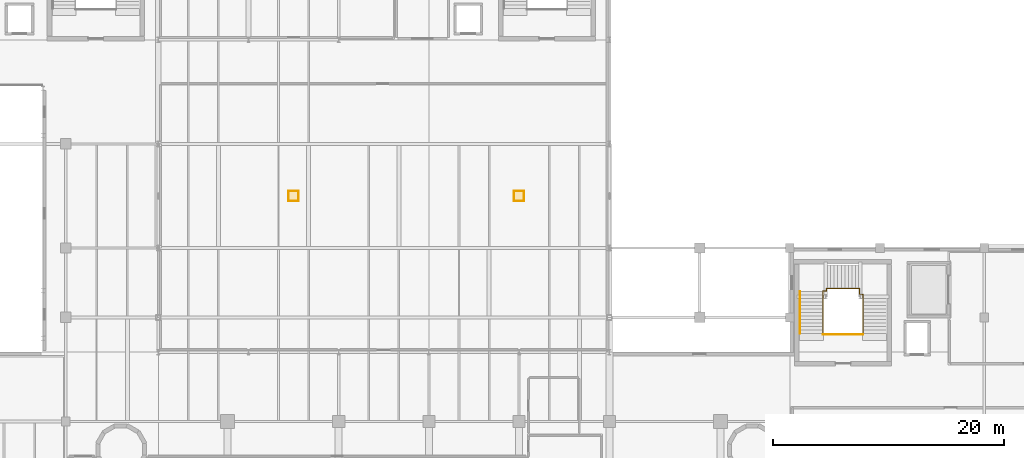
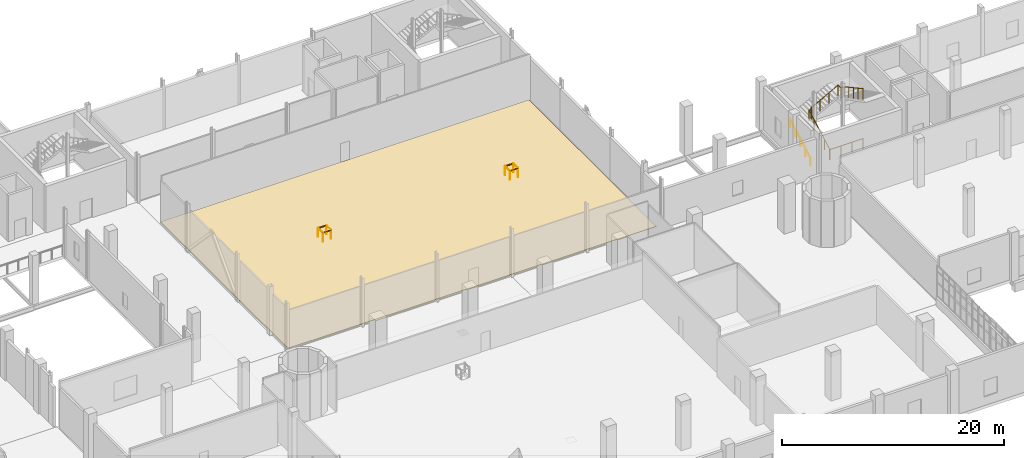
# One storey, part 54 of 57: 11 railings, 1 covering.
"""IFC4 building model written with IfcOpenShell, lengths in metres."""

from ifc_helpers import new_model, si_unit, derived_unit, direction, frame, origin, origin_2d, place, context, subcontext, project, spatial, polyline, circle, outline, extrude, material, layer, layer_set, type_object, element, save


model = new_model("IFC4")

# Units and contexts
model_context = context("Model", 3, precision=1e-05, world=origin(), true_north=direction((0.0, 1.0)))
body_context = subcontext(model_context, "Body", "Model", "MODEL_VIEW")
ifc_project = project(units=[si_unit("LENGTHUNIT", "METRE"), si_unit("AREAUNIT", "SQUARE_METRE"), si_unit("VOLUMEUNIT", "CUBIC_METRE"), si_unit("PLANEANGLEUNIT", "RADIAN"), si_unit("MASSUNIT", "GRAM", prefix="KILO"), derived_unit("THERMALTRANSMITTANCEUNIT", [(si_unit("POWERUNIT", "WATT"), 1), (si_unit("LENGTHUNIT", "METRE"), -2), (si_unit("THERMODYNAMICTEMPERATUREUNIT", "KELVIN"), -1)])], contexts=[model_context])

# Site, building, storey
site_placement = place(None, origin())
site = spatial("IfcSite", under=ifc_project, at=site_placement, CompositionType="ELEMENT")
building_placement = place(site_placement, origin())
building = spatial("IfcBuilding", under=site, at=building_placement, Name="Nallur Shell Playhouse", CompositionType="ELEMENT")
storey_placement = place(building_placement, origin())
storey = spatial("IfcBuildingStorey", under=building, at=storey_placement, Name="L01", CompositionType="ELEMENT", Elevation=0.0)

# Covering
ifc_material_1 = material(Name="Sprung Semi-Resilient Stage & Dance Hardwood Flooring", Category="wood")
ifc_layer = layer(ifc_material_1, 0.054931640625)
ifc_layer_set = layer_set([ifc_layer], Name="Sprung Semi-Resilient Stage & Dance Hardwood Flooring")
covering_type = type_object("IfcCoveringType", Name="CV-FLOR-TIMBER", PredefinedType="FLOORING", material=ifc_layer_set)
covering_placement = place(storey_placement, origin())
element("IfcCovering", 1, at=covering_placement, inside=storey, type_object=covering_type, Name="Main Theatre Proscenium Stage & Side Stages floor finish", PredefinedType="FLOORING", context=body_context, shape_type="SweptSolid", body=[
    extrude(outline(polyline([(102.60009765625, 70.199951171875), (102.60009765625, 47.199951171875), (64.199951171875, 47.199951171875), (64.199951171875, 70.199951171875), (102.60009765625, 70.199951171875)])), origin(), (0.0, 0.0, 1.0), 0.054931640625),
])

# Railings
ifc_material_2 = material(Name="Brushed Stainless Steel 316 Balustrade & Toughened Infill", Category="steel")
railing_type_1 = type_object("IfcRailingType", Name="RL-GUARD-1100", PredefinedType="BALUSTRADE", material=ifc_material_2)
railing_1_placement = place(storey_placement, frame((121.4599609375, 48.60009765625, 0.0)))
element("IfcRailing", 2, at=railing_1_placement, inside=storey, type_object=railing_type_1, Name="Stair ST-02-L01 inner open-well guard", PredefinedType="BALUSTRADE", context=body_context, shape_type="SweptSolid", body=[
    extrude(circle(Radius=0.02392578125, at=origin_2d()), frame((0.0, 0.0, 1.15576171875), z_axis=(0.0, 0.879145147203, 0.476554099919), x_axis=(-1.0, 0.0, 0.0)), (0.0, 0.0, 1.0), 4.20849609375),
    extrude(circle(Radius=0.02392578125, at=origin_2d()), frame((0.0, 3.699951171875, 3.16162109375), z_axis=(1.0, 0.0, 0.0), x_axis=(0.0, 1.0, 0.0)), (0.0, 0.0, 1.0), 0.32763671875),
    extrude(circle(Radius=0.02392578125, at=origin_2d()), frame((0.32763671875, 3.699951171875, 3.16162109375), z_axis=(0.0, 1.0, 0.0), x_axis=(-1.0, 0.0, 0.0)), (0.0, 0.0, 1.0), 0.199951171875),
    extrude(circle(Radius=0.02392578125, at=origin_2d()), frame((0.32763671875, 3.89990234375, 3.16162109375), z_axis=(0.877622962151, 0.0, 0.479351579016), x_axis=(0.0, 1.0, 0.0)), (0.0, 0.0, 1.0), 3.21875),
    extrude(circle(Radius=0.02392578125, at=origin_2d()), frame((3.152587890625, 3.89990234375, 4.70458984375), z_axis=(0.0, -1.0, 0.0), x_axis=(1.0, 0.0, 0.0)), (0.0, 0.0, 1.0), 0.5048828125),
    extrude(circle(Radius=0.02392578125, at=origin_2d()), frame((3.152587890625, 3.39501953125, 4.70458984375), z_axis=(1.0, 0.0, 0.0), x_axis=(0.0, 1.0, 0.0)), (0.0, 0.0, 1.0), 0.327392578125),
    extrude(circle(Radius=0.02392578125, at=origin_2d()), frame((3.47998046875, 3.39501953125, 4.70458984375), z_axis=(0.0, -0.877951061209, 0.478750388117), x_axis=(1.0, 0.0, 0.0)), (0.0, 0.0, 1.0), 3.866943359375),
    extrude(circle(Radius=0.02099609375, at=origin_2d()), origin(), (0.0, 0.0, 1.0), 1.1318359375),
    extrude(circle(Radius=0.02099609375, at=origin_2d()), frame((0.0, 0.925048828125, 0.50146484375)), (0.0, 0.0, 1.0), 1.1318359375),
    extrude(circle(Radius=0.02099609375, at=origin_2d()), frame((0.0, 1.85009765625, 1.0029296875)), (0.0, 0.0, 1.0), 1.1318359375),
    extrude(circle(Radius=0.02099609375, at=origin_2d()), frame((0.0, 2.77490234375, 1.504150390625)), (0.0, 0.0, 1.0), 1.1318359375),
    extrude(circle(Radius=0.02099609375, at=origin_2d()), frame((0.0, 3.699951171875, 2.005615234375)), (0.0, 0.0, 1.0), 1.1318359375),
    extrude(circle(Radius=0.02099609375, at=origin_2d()), frame((0.32763671875, 3.699951171875, 2.005615234375)), (0.0, 0.0, 1.0), 1.1318359375),
    extrude(circle(Radius=0.02099609375, at=origin_2d()), frame((0.32763671875, 3.89990234375, 2.005615234375)), (0.0, 0.0, 1.0), 1.1318359375),
    extrude(circle(Radius=0.02099609375, at=origin_2d()), frame((1.269287109375, 3.89990234375, 2.52001953125)), (0.0, 0.0, 1.0), 1.1318359375),
    extrude(circle(Radius=0.02099609375, at=origin_2d()), frame((2.2109375, 3.89990234375, 3.0341796875)), (0.0, 0.0, 1.0), 1.1318359375),
    extrude(circle(Radius=0.02099609375, at=origin_2d()), frame((3.152587890625, 3.89990234375, 3.548583984375)), (0.0, 0.0, 1.0), 1.1318359375),
    extrude(circle(Radius=0.02099609375, at=origin_2d()), frame((3.152587890625, 3.39501953125, 3.548583984375)), (0.0, 0.0, 1.0), 1.1318359375),
    extrude(circle(Radius=0.02099609375, at=origin_2d()), frame((3.47998046875, 3.39501953125, 3.548583984375)), (0.0, 0.0, 1.0), 1.1318359375),
    extrude(circle(Radius=0.02099609375, at=origin_2d()), frame((3.47998046875, 2.54638671875, 4.011474609375)), (0.0, 0.0, 1.0), 1.1318359375),
    extrude(circle(Radius=0.02099609375, at=origin_2d()), frame((3.47998046875, 1.697509765625, 4.47412109375)), (0.0, 0.0, 1.0), 1.1318359375),
    extrude(circle(Radius=0.02099609375, at=origin_2d()), frame((3.47998046875, 0.8486328125, 4.93701171875)), (0.0, 0.0, 1.0), 1.1318359375),
    extrude(circle(Radius=0.02099609375, at=origin_2d()), frame((3.47998046875, 0.0, 5.39990234375)), (0.0, 0.0, 1.0), 1.1318359375),
])
railing_2_placement = place(storey_placement, frame((121.4599609375, 48.5400390625, 0.0)))
element("IfcRailing", 3, at=railing_2_placement, inside=storey, type_object=railing_type_1, Name="Stair ST-02-L01 floor-well guard", PredefinedType="BALUSTRADE", context=body_context, shape_type="SweptSolid", body=[
    extrude(circle(Radius=0.02392578125, at=origin_2d()), frame((0.0, 0.0, 1.09619140625), z_axis=(1.0, 0.0, 0.0), x_axis=(0.0, 1.0, 0.0)), (0.0, 0.0, 1.0), 3.47998046875),
    extrude(circle(Radius=0.02099609375, at=origin_2d()), origin(), (0.0, 0.0, 1.0), 1.072021484375),
    extrude(circle(Radius=0.02099609375, at=origin_2d()), frame((1.159912109375, 0.0, 0.0)), (0.0, 0.0, 1.0), 1.072021484375),
    extrude(circle(Radius=0.02099609375, at=origin_2d()), frame((2.320068359375, 0.0, 0.0)), (0.0, 0.0, 1.0), 1.072021484375),
    extrude(circle(Radius=0.02099609375, at=origin_2d()), frame((3.47998046875, 0.0, 0.0)), (0.0, 0.0, 1.0), 1.072021484375),
])
railing_3_placement = place(storey_placement, frame((75.27001953125, 60.070068359375, 0.0)))
element("IfcRailing", 4, at=railing_3_placement, inside=storey, type_object=railing_type_1, Name="L01 service riser edge guard 055", PredefinedType="BALUSTRADE", context=body_context, shape_type="SweptSolid", body=[
    extrude(circle(Radius=0.02392578125, at=origin_2d()), frame((0.0, 0.0, 1.09619140625), z_axis=(1.0, 0.0, 0.0), x_axis=(0.0, 1.0, 0.0)), (0.0, 0.0, 1.0), 0.85986328125),
    extrude(circle(Radius=0.02099609375, at=origin_2d()), origin(), (0.0, 0.0, 1.0), 1.072021484375),
    extrude(circle(Radius=0.02099609375, at=origin_2d()), frame((0.85986328125, 0.0, 0.0)), (0.0, 0.0, 1.0), 1.072021484375),
])
railing_4_placement = place(storey_placement, frame((76.1298828125, 60.070068359375, 0.0)))
element("IfcRailing", 5, at=railing_4_placement, inside=storey, type_object=railing_type_1, Name="L01 service riser edge guard 056", PredefinedType="BALUSTRADE", context=body_context, shape_type="SweptSolid", body=[
    extrude(circle(Radius=0.02392578125, at=origin_2d()), frame((0.0, 0.0, 1.09619140625), z_axis=(0.0, 1.0, 0.0), x_axis=(-1.0, 0.0, 0.0)), (0.0, 0.0, 1.0), 0.85986328125),
    extrude(circle(Radius=0.02099609375, at=origin_2d()), origin(), (0.0, 0.0, 1.0), 1.072021484375),
    extrude(circle(Radius=0.02099609375, at=origin_2d()), frame((0.0, 0.85986328125, 0.0)), (0.0, 0.0, 1.0), 1.072021484375),
])
railing_5_placement = place(storey_placement, frame((76.1298828125, 60.929931640625, 0.0)))
element("IfcRailing", 6, at=railing_5_placement, inside=storey, type_object=railing_type_1, Name="L01 service riser edge guard 057", PredefinedType="BALUSTRADE", context=body_context, shape_type="SweptSolid", body=[
    extrude(circle(Radius=0.02392578125, at=origin_2d()), frame((0.0, 0.0, 1.09619140625), z_axis=(-1.0, 0.0, 0.0), x_axis=(0.0, -1.0, 0.0)), (0.0, 0.0, 1.0), 0.85986328125),
    extrude(circle(Radius=0.02099609375, at=origin_2d()), origin(), (0.0, 0.0, 1.0), 1.072021484375),
    extrude(circle(Radius=0.02099609375, at=origin_2d()), frame((-0.85986328125, 0.0, 0.0)), (0.0, 0.0, 1.0), 1.072021484375),
])
railing_6_placement = place(storey_placement, frame((75.27001953125, 60.929931640625, 0.0)))
element("IfcRailing", 7, at=railing_6_placement, inside=storey, type_object=railing_type_1, Name="L01 service riser edge guard 058", PredefinedType="BALUSTRADE", context=body_context, shape_type="SweptSolid", body=[
    extrude(circle(Radius=0.02392578125, at=origin_2d()), frame((0.0, 0.0, 1.09619140625), z_axis=(0.0, -1.0, 0.0), x_axis=(1.0, 0.0, 0.0)), (0.0, 0.0, 1.0), 0.85986328125),
    extrude(circle(Radius=0.02099609375, at=origin_2d()), origin(), (0.0, 0.0, 1.0), 1.072021484375),
    extrude(circle(Radius=0.02099609375, at=origin_2d()), frame((0.0, -0.85986328125, 0.0)), (0.0, 0.0, 1.0), 1.072021484375),
])
railing_7_placement = place(storey_placement, frame((94.77001953125, 60.070068359375, 0.0)))
element("IfcRailing", 8, at=railing_7_placement, inside=storey, type_object=railing_type_1, Name="L01 service riser edge guard 063", PredefinedType="BALUSTRADE", context=body_context, shape_type="SweptSolid", body=[
    extrude(circle(Radius=0.02392578125, at=origin_2d()), frame((0.0, 0.0, 1.09619140625), z_axis=(1.0, 0.0, 0.0), x_axis=(0.0, 1.0, 0.0)), (0.0, 0.0, 1.0), 0.85986328125),
    extrude(circle(Radius=0.02099609375, at=origin_2d()), origin(), (0.0, 0.0, 1.0), 1.072021484375),
    extrude(circle(Radius=0.02099609375, at=origin_2d()), frame((0.85986328125, 0.0, 0.0)), (0.0, 0.0, 1.0), 1.072021484375),
])
railing_8_placement = place(storey_placement, frame((95.6298828125, 60.070068359375, 0.0)))
element("IfcRailing", 9, at=railing_8_placement, inside=storey, type_object=railing_type_1, Name="L01 service riser edge guard 064", PredefinedType="BALUSTRADE", context=body_context, shape_type="SweptSolid", body=[
    extrude(circle(Radius=0.02392578125, at=origin_2d()), frame((0.0, 0.0, 1.09619140625), z_axis=(0.0, 1.0, 0.0), x_axis=(-1.0, 0.0, 0.0)), (0.0, 0.0, 1.0), 0.85986328125),
    extrude(circle(Radius=0.02099609375, at=origin_2d()), origin(), (0.0, 0.0, 1.0), 1.072021484375),
    extrude(circle(Radius=0.02099609375, at=origin_2d()), frame((0.0, 0.85986328125, 0.0)), (0.0, 0.0, 1.0), 1.072021484375),
])
railing_9_placement = place(storey_placement, frame((95.6298828125, 60.929931640625, 0.0)))
element("IfcRailing", 10, at=railing_9_placement, inside=storey, type_object=railing_type_1, Name="L01 service riser edge guard 065", PredefinedType="BALUSTRADE", context=body_context, shape_type="SweptSolid", body=[
    extrude(circle(Radius=0.02392578125, at=origin_2d()), frame((0.0, 0.0, 1.09619140625), z_axis=(-1.0, 0.0, 0.0), x_axis=(0.0, -1.0, 0.0)), (0.0, 0.0, 1.0), 0.85986328125),
    extrude(circle(Radius=0.02099609375, at=origin_2d()), origin(), (0.0, 0.0, 1.0), 1.072021484375),
    extrude(circle(Radius=0.02099609375, at=origin_2d()), frame((-0.85986328125, 0.0, 0.0)), (0.0, 0.0, 1.0), 1.072021484375),
])
railing_10_placement = place(storey_placement, frame((94.77001953125, 60.929931640625, 0.0)))
element("IfcRailing", 11, at=railing_10_placement, inside=storey, type_object=railing_type_1, Name="L01 service riser edge guard 066", PredefinedType="BALUSTRADE", context=body_context, shape_type="SweptSolid", body=[
    extrude(circle(Radius=0.02392578125, at=origin_2d()), frame((0.0, 0.0, 1.09619140625), z_axis=(0.0, -1.0, 0.0), x_axis=(1.0, 0.0, 0.0)), (0.0, 0.0, 1.0), 0.85986328125),
    extrude(circle(Radius=0.02099609375, at=origin_2d()), origin(), (0.0, 0.0, 1.0), 1.072021484375),
    extrude(circle(Radius=0.02099609375, at=origin_2d()), frame((0.0, -0.85986328125, 0.0)), (0.0, 0.0, 1.0), 1.072021484375),
])
ifc_material_3 = material(Name="Stainless Steel 316 Continuous Tubular Handrail", Category="steel")
railing_type_2 = type_object("IfcRailingType", Name="RL-HANDRAIL-900", PredefinedType="HANDRAIL", material=ifc_material_3)
railing_11_placement = place(storey_placement, frame((119.47998046875, 48.60009765625, 0.0)))
element("IfcRailing", 12, at=railing_11_placement, inside=storey, type_object=railing_type_2, Name="Stair ST-02-L01 outer handrail F1", PredefinedType="HANDRAIL", context=body_context, shape_type="SweptSolid", body=[
    extrude(circle(Radius=0.02392578125, at=origin_2d()), frame((0.0, 0.0, 0.89599609375), z_axis=(0.0, 0.876957165418, 0.480568548723), x_axis=(-1.0, 0.0, 0.0)), (0.0, 0.0, 1.0), 4.17333984375),
    extrude(circle(Radius=0.02099609375, at=origin_2d()), origin(), (0.0, 0.0, 1.0), 0.871826171875),
    extrude(circle(Radius=0.02099609375, at=origin_2d()), frame((0.0, 0.9150390625, 0.50146484375)), (0.0, 0.0, 1.0), 0.871826171875),
    extrude(circle(Radius=0.02099609375, at=origin_2d()), frame((0.0, 1.830078125, 1.0029296875)), (0.0, 0.0, 1.0), 0.871826171875),
    extrude(circle(Radius=0.02099609375, at=origin_2d()), frame((0.0, 2.744873046875, 1.504150390625)), (0.0, 0.0, 1.0), 0.871826171875),
    extrude(circle(Radius=0.02099609375, at=origin_2d()), frame((0.0, 3.659912109375, 2.005615234375)), (0.0, 0.0, 1.0), 0.871826171875),
])

save(model, "model.ifc")
